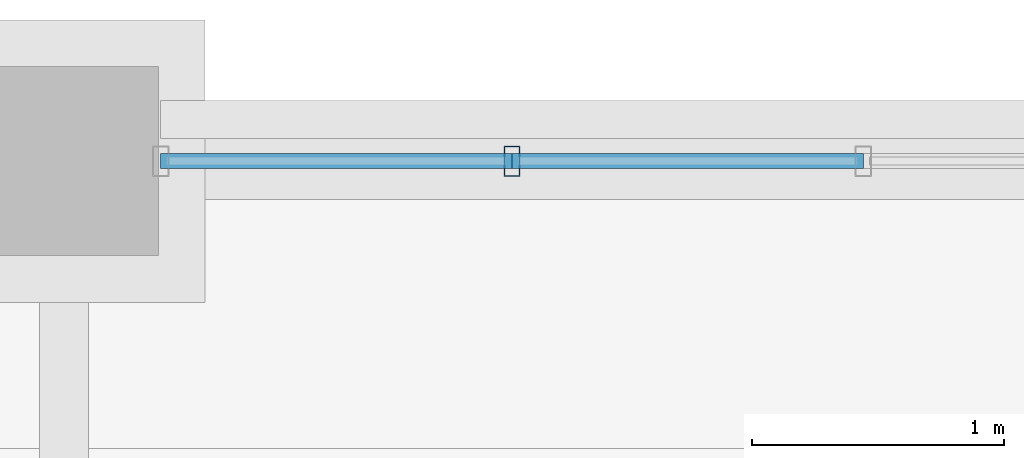
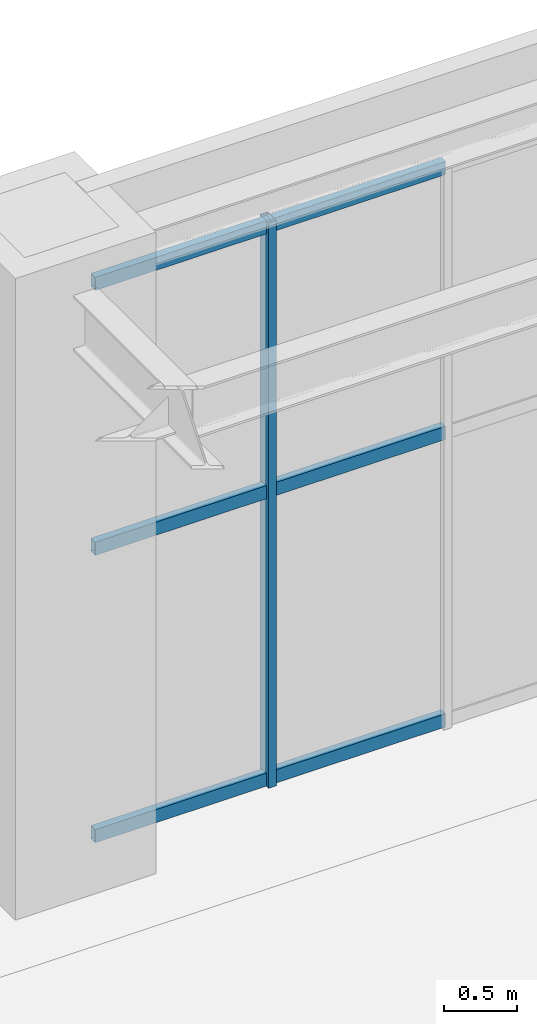
# One storey, part 79 of 164: 7 members, 1 element without a shape of its own.
"""IFC4 building model written with IfcOpenShell, lengths in metres."""

from ifc_helpers import new_model, si_unit, direction, frame, origin, origin_2d, place, context, subcontext, project, spatial, hollow_rectangle, extrude, material, material_profile, profile_set, type_object, element, aggregate, save


model = new_model("IFC4")

# Units and contexts
model_context = context("Model", 3, precision=1e-05, world=origin(), true_north=direction((0.0, 1.0)))
body_context = subcontext(model_context, "Body", "Model", "MODEL_VIEW")
ifc_project = project(units=[si_unit("LENGTHUNIT", "METRE"), si_unit("AREAUNIT", "SQUARE_METRE"), si_unit("VOLUMEUNIT", "CUBIC_METRE"), si_unit("PLANEANGLEUNIT", "RADIAN"), si_unit("MASSUNIT", "GRAM", prefix="KILO")], contexts=[model_context])

# Site, building, storey
site_placement = place(None, origin())
site = spatial("IfcSite", under=ifc_project, at=site_placement, CompositionType="ELEMENT")
building_placement = place(site_placement, origin())
building = spatial("IfcBuilding", under=site, at=building_placement, Name="Mavantir Sound Aquarium", CompositionType="ELEMENT")
storey_placement = place(building_placement, origin())
storey = spatial("IfcBuildingStorey", under=building, at=storey_placement, Name="L00", CompositionType="ELEMENT", Elevation=0.0)

# Curtain wall, members
ifc_material_1 = material(Name="Anodised Marine Aluminium and Low-E Glass", Category="aluminium")
curtain_wall_type = type_object("IfcCurtainWallType", Name="CW-T12", PredefinedType="USERDEFINED", material=ifc_material_1)
curtain_wall_placement = place(storey_placement, origin())
curtain_wall = element("IfcCurtainWall", 1, at=curtain_wall_placement, inside=storey, type_object=curtain_wall_type, Name="L00 unitised curtain wall CW-12 36", ObjectType="UNITISED GLAZING", PredefinedType="USERDEFINED")
ifc_material_2 = material(Name="Anodised Marine Aluminium 6063-T6", Category="aluminium")
ifc_material_profile_1 = material_profile(ifc_material_2, hollow_rectangle(XDim=0.06494140625, YDim=0.1201171875, WallThickness=0.00390625, at=origin_2d()), Name="ALU-MULLION-120X65")
ifc_profile_set_1 = profile_set([ifc_material_profile_1], Name="Anodised Marine Aluminium 6063-T6")
member_type_1 = type_object("IfcMemberType", Name="CW-MUL-120", PredefinedType="MULLION", material=ifc_profile_set_1)
member_1_placement = place(storey_placement, frame((30.57763671875, 116.0, 0.0), z_axis=(0.0, 0.0, 1.0), x_axis=(1.0, 0.0, 0.0)))
member_1 = element("IfcMember", 2, at=member_1_placement, type_object=member_type_1, Name="CW-L00-036 vertical mullion 3", PredefinedType="MULLION", context=body_context, shape_type="SweptSolid", body=[
    extrude(hollow_rectangle(XDim=0.06494140625, YDim=0.1201171875, WallThickness=0.00390625, at=origin_2d()), origin(), (0.0, 0.0, 1.0), 4.758056640625),
])
ifc_material_profile_2 = material_profile(ifc_material_2, hollow_rectangle(XDim=0.06005859375, YDim=0.110107421875, WallThickness=0.00390625, at=origin_2d()), Name="ALU-TRANSOM-110X60")
ifc_profile_set_2 = profile_set([ifc_material_profile_2], Name="Anodised Marine Aluminium 6063-T6")
member_type_2 = type_object("IfcMemberType", Name="CW-TRN-110", PredefinedType="USERDEFINED", material=ifc_profile_set_2)
member_2_placement = place(storey_placement, frame((31.972412109375, 116.0, 0.054931640625), z_axis=(-1.0, 0.0, 0.0), x_axis=(0.0, -1.0, 0.0)))
member_2 = element("IfcMember", 3, at=member_2_placement, type_object=member_type_2, Name="CW-L00-036 transom 2.1", ObjectType="TRANSOM", PredefinedType="USERDEFINED", context=body_context, shape_type="SweptSolid", body=[
    extrude(hollow_rectangle(XDim=0.06005859375, YDim=0.110107421875, WallThickness=0.00390625, at=origin_2d()), origin(), (0.0, 0.0, 1.0), 1.394775390625),
])
member_3_placement = place(storey_placement, frame((31.972412109375, 116.0, 2.47412109375), z_axis=(-1.0, 0.0, 0.0), x_axis=(0.0, -1.0, 0.0)))
member_3 = element("IfcMember", 4, at=member_3_placement, type_object=member_type_2, Name="CW-L00-036 transom 2.2", ObjectType="TRANSOM", PredefinedType="USERDEFINED", context=body_context, shape_type="SweptSolid", body=[
    extrude(hollow_rectangle(XDim=0.06005859375, YDim=0.110107421875, WallThickness=0.00390625, at=origin_2d()), origin(), (0.0, 0.0, 1.0), 1.394775390625),
])
member_4_placement = place(storey_placement, frame((31.972412109375, 116.0, 4.702880859375), z_axis=(-1.0, 0.0, 0.0), x_axis=(0.0, -1.0, 0.0)))
member_4 = element("IfcMember", 5, at=member_4_placement, type_object=member_type_2, Name="CW-L00-036 transom 2.3", ObjectType="TRANSOM", PredefinedType="USERDEFINED", context=body_context, shape_type="SweptSolid", body=[
    extrude(hollow_rectangle(XDim=0.06005859375, YDim=0.110107421875, WallThickness=0.00390625, at=origin_2d()), origin(), (0.0, 0.0, 1.0), 1.394775390625),
])
member_5_placement = place(storey_placement, frame((30.57763671875, 116.0, 0.054931640625), z_axis=(-1.0, 0.0, 0.0), x_axis=(0.0, -1.0, 0.0)))
member_5 = element("IfcMember", 6, at=member_5_placement, type_object=member_type_2, Name="CW-L00-036 transom 3.1", ObjectType="TRANSOM", PredefinedType="USERDEFINED", context=body_context, shape_type="SweptSolid", body=[
    extrude(hollow_rectangle(XDim=0.06005859375, YDim=0.110107421875, WallThickness=0.00390625, at=origin_2d()), origin(), (0.0, 0.0, 1.0), 1.39453125),
])
member_6_placement = place(storey_placement, frame((30.57763671875, 116.0, 2.47412109375), z_axis=(-1.0, 0.0, 0.0), x_axis=(0.0, -1.0, 0.0)))
member_6 = element("IfcMember", 7, at=member_6_placement, type_object=member_type_2, Name="CW-L00-036 transom 3.2", ObjectType="TRANSOM", PredefinedType="USERDEFINED", context=body_context, shape_type="SweptSolid", body=[
    extrude(hollow_rectangle(XDim=0.06005859375, YDim=0.110107421875, WallThickness=0.00390625, at=origin_2d()), origin(), (0.0, 0.0, 1.0), 1.39453125),
])
member_7_placement = place(storey_placement, frame((30.57763671875, 116.0, 4.702880859375), z_axis=(-1.0, 0.0, 0.0), x_axis=(0.0, -1.0, 0.0)))
member_7 = element("IfcMember", 8, at=member_7_placement, type_object=member_type_2, Name="CW-L00-036 transom 3.3", ObjectType="TRANSOM", PredefinedType="USERDEFINED", context=body_context, shape_type="SweptSolid", body=[
    extrude(hollow_rectangle(XDim=0.06005859375, YDim=0.110107421875, WallThickness=0.00390625, at=origin_2d()), origin(), (0.0, 0.0, 1.0), 1.39453125),
])
aggregate(curtain_wall, [member_1, member_2, member_3, member_4, member_5, member_6, member_7])

save(model, "model.ifc")
